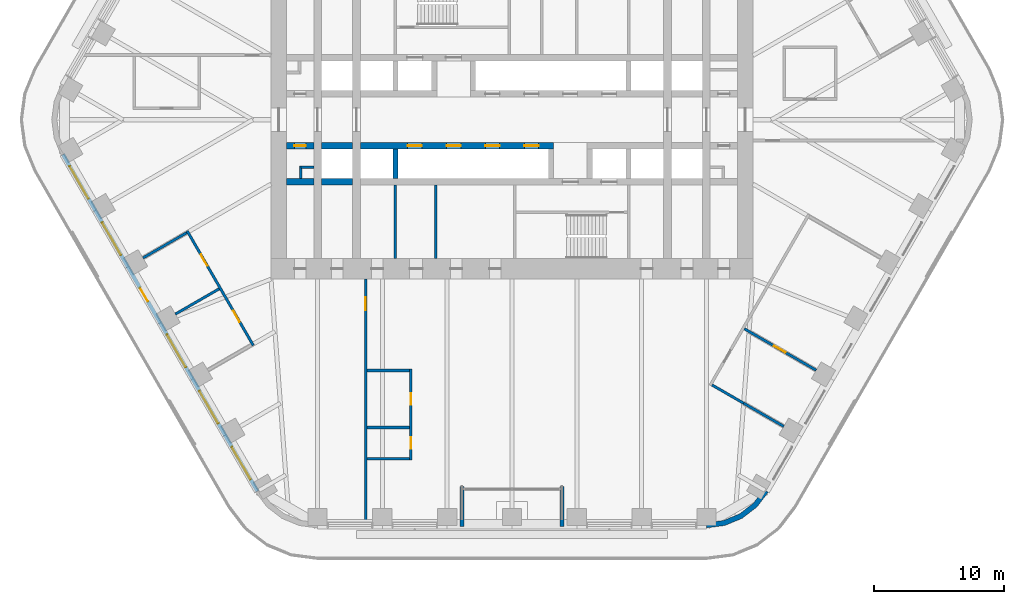
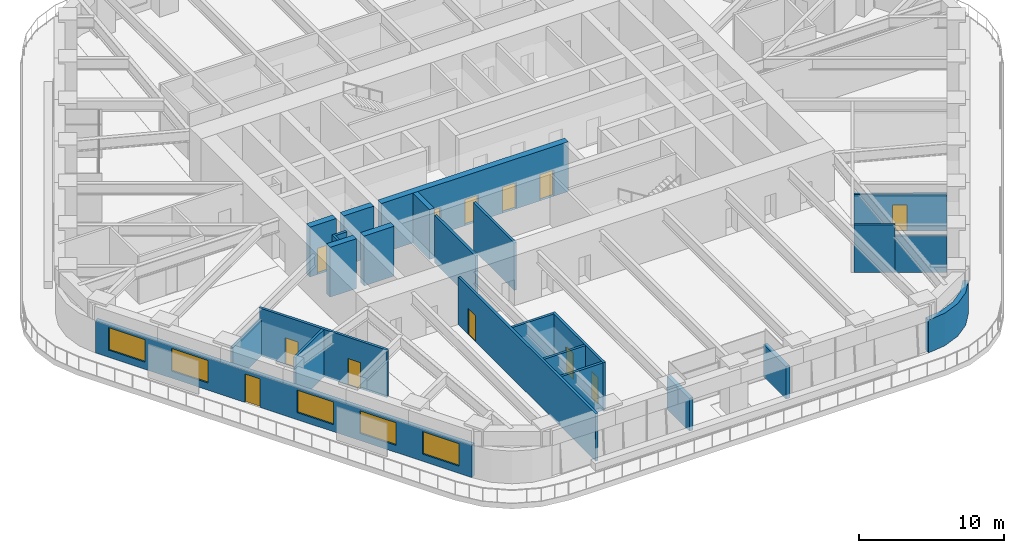
# One storey, part 17 of 24: 25 walls, 12 doors, 5 windows, 17 openings.
"""IFC4 building model written with IfcOpenShell, lengths in metres."""

from ifc_helpers import new_model, si_unit, direction, frame, frame_2d, origin, place, context, subcontext, project, spatial, polyline, rectangle, outline, extrude, material, layer, layer_set, type_object, element, fill, save


model = new_model("IFC4")

# Units and contexts
model_context = context("Model", 3, precision=1e-05, world=origin(), true_north=direction((0.0, 1.0)))
body_context = subcontext(model_context, "Body", "Model", "MODEL_VIEW")
ifc_project = project(units=[si_unit("LENGTHUNIT", "METRE"), si_unit("AREAUNIT", "SQUARE_METRE"), si_unit("VOLUMEUNIT", "CUBIC_METRE"), si_unit("PLANEANGLEUNIT", "RADIAN"), si_unit("MASSUNIT", "GRAM", prefix="KILO")], contexts=[model_context])

# Site, building, storey
site_placement = place(None, origin())
site = spatial("IfcSite", under=ifc_project, at=site_placement, CompositionType="ELEMENT")
building_placement = place(site_placement, origin())
building = spatial("IfcBuilding", under=site, at=building_placement, Name="Tarfa Lantern Tower", CompositionType="ELEMENT")
storey_placement = place(building_placement, frame((0.0, 0.0, 190.89990234375)))
storey = spatial("IfcBuildingStorey", under=building, at=storey_placement, Name="L43", CompositionType="ELEMENT", Elevation=190.89990234375)

# Wall, openings, door, windows
ifc_material_1 = material(Name="Limestone cladding on blockwork", Category="masonry")
ifc_layer_1 = layer(ifc_material_1, 0.300048828125)
ifc_layer_set_1 = layer_set([ifc_layer_1], Name="EW1 STONE-CLAD WALL 300")
wall_type_1 = type_object("IfcWallType", Name="EW1 STONE-CLAD WALL 300", PredefinedType="SOLIDWALL", material=ifc_layer_set_1)
wall_1_placement = place(storey_placement, frame((-34.655517578125, -2.675048828125, 0.0), z_axis=(0.0, 0.0, 1.0), x_axis=(0.500003084452, -0.866023622968, 0.0)))
wall_1 = element("IfcWall", 1, at=wall_1_placement, inside=storey, type_object=wall_type_1, Name="Stone wall SW", PredefinedType="SOLIDWALL", context=body_context, shape_type="SweptSolid", body=[
    extrude(rectangle(XDim=30.022216796875, YDim=0.300048828125, at=frame_2d((15.01123046875, 0.0))), origin(), (0.0, 0.0, 1.0), 2.75),
])
opening_1_placement = place(wall_1_placement, frame((1.0517578125, 0.0, 0.60009765625)))
opening_1 = element("IfcOpeningElement", 2, at=opening_1_placement, cuts=wall_1, Name="Opening W9", PredefinedType="OPENING", context=body_context, shape_type="SweptSolid", body=[
    extrude(rectangle(XDim=2.89990234375, YDim=1.89990234375, at=frame_2d((1.449951171875, 0.949951171875))), frame((0.0, 0.159912109375, 0.0), z_axis=(0.0, -1.0, 0.0), x_axis=(1.0, 0.0, 0.0)), (0.0, 0.0, 1.0), 0.320068359375),
])
opening_2_placement = place(wall_1_placement, frame((6.0556640625, 0.0, 0.60009765625)))
opening_2 = element("IfcOpeningElement", 3, at=opening_2_placement, cuts=wall_1, Name="Opening W9", PredefinedType="OPENING", context=body_context, shape_type="SweptSolid", body=[
    extrude(rectangle(XDim=2.89990234375, YDim=1.89990234375, at=frame_2d((1.449951171875, 0.949951171875))), frame((0.0, 0.159912109375, 0.0), z_axis=(0.0, -1.0, 0.0), x_axis=(1.0, 0.0, 0.0)), (0.0, 0.0, 1.0), 0.320068359375),
])
opening_3_placement = place(wall_1_placement, frame((11.9091796875, 0.0, 0.0)))
opening_3 = element("IfcOpeningElement", 4, at=opening_3_placement, cuts=wall_1, Name="Opening D52", PredefinedType="OPENING", context=body_context, shape_type="SweptSolid", body=[
    extrude(rectangle(XDim=1.199951171875, YDim=2.39990234375, at=frame_2d((0.60009765625, 1.199951171875))), frame((0.0, 0.159912109375, 0.0), z_axis=(0.0, -1.0, 0.0), x_axis=(1.0, 0.0, 0.0)), (0.0, 0.0, 1.0), 0.320068359375),
])
opening_4_placement = place(wall_1_placement, frame((16.06298828125, 0.0, 0.60009765625)))
opening_4 = element("IfcOpeningElement", 5, at=opening_4_placement, cuts=wall_1, Name="Opening W9", PredefinedType="OPENING", context=body_context, shape_type="SweptSolid", body=[
    extrude(rectangle(XDim=2.89990234375, YDim=1.89990234375, at=frame_2d((1.449951171875, 0.949951171875))), frame((0.0, 0.159912109375, 0.0), z_axis=(0.0, -1.0, 0.0), x_axis=(1.0, 0.0, 0.0)), (0.0, 0.0, 1.0), 0.320068359375),
])
opening_5_placement = place(wall_1_placement, frame((21.066650390625, 0.0, 0.60009765625)))
opening_5 = element("IfcOpeningElement", 6, at=opening_5_placement, cuts=wall_1, Name="Opening W9", PredefinedType="OPENING", context=body_context, shape_type="SweptSolid", body=[
    extrude(rectangle(XDim=2.89990234375, YDim=1.89990234375, at=frame_2d((1.449951171875, 0.949951171875))), frame((0.0, 0.159912109375, 0.0), z_axis=(0.0, -1.0, 0.0), x_axis=(1.0, 0.0, 0.0)), (0.0, 0.0, 1.0), 0.320068359375),
])
opening_6_placement = place(wall_1_placement, frame((26.0703125, 0.0, 0.60009765625)))
opening_6 = element("IfcOpeningElement", 7, at=opening_6_placement, cuts=wall_1, Name="Opening W9", PredefinedType="OPENING", context=body_context, shape_type="SweptSolid", body=[
    extrude(rectangle(XDim=2.89990234375, YDim=1.89990234375, at=frame_2d((1.449951171875, 0.949951171875))), frame((0.0, 0.159912109375, 0.0), z_axis=(0.0, -1.0, 0.0), x_axis=(1.0, 0.0, 0.0)), (0.0, 0.0, 1.0), 0.320068359375),
])
ifc_material_2 = material(Name="Aluminium framed glazed door", Category="aluminium")
door_type_1 = type_object("IfcDoorType", Name="BE3 BALCONY DOOR 1200x2400", OperationType="SINGLE_SWING_RIGHT", PredefinedType="DOOR", material=ifc_material_2)
door_1_placement = place(opening_3_placement, origin())
door_1 = element("IfcDoor", 8, at=door_1_placement, inside=storey, type_object=door_type_1, Name="Balcony door SW", OperationType="SINGLE_SWING_RIGHT", OverallHeight=2.39990234375, OverallWidth=1.199951171875, PredefinedType="DOOR", context=body_context, shape_type="SweptSolid", body=[
    extrude(rectangle(XDim=1.199951171875, YDim=2.39990234375, at=frame_2d((0.60009765625, 1.199951171875))), frame((0.0, 0.02490234375, 0.0), z_axis=(0.0, -1.0, 0.0), x_axis=(1.0, 0.0, 0.0)), (0.0, 0.0, 1.0), 0.050048828125),
])
fill(opening_3, door_1)
ifc_material_3 = material(Name="Aluminium frame, double glazed", Category="aluminium")
window_type = type_object("IfcWindowType", Name="W9 FULL-HEIGHT GLAZING 2900x1900", PartitioningType="SINGLE_PANEL", PredefinedType="WINDOW", material=ifc_material_3)
window_1_placement = place(opening_1_placement, origin())
window_1 = element("IfcWindow", 9, at=window_1_placement, inside=storey, type_object=window_type, Name="Window SW 1", OverallHeight=1.89990234375, OverallWidth=2.89990234375, PartitioningType="SINGLE_PANEL", PredefinedType="WINDOW", context=body_context, shape_type="SweptSolid", body=[
    extrude(rectangle(XDim=2.89990234375, YDim=1.89990234375, at=frame_2d((1.449951171875, 0.949951171875))), frame((0.0, 0.030029296875, 0.0), z_axis=(0.0, -1.0, 0.0), x_axis=(1.0, 0.0, 0.0)), (0.0, 0.0, 1.0), 0.06005859375),
])
fill(opening_1, window_1)
window_2_placement = place(opening_2_placement, origin())
window_2 = element("IfcWindow", 10, at=window_2_placement, inside=storey, type_object=window_type, Name="Window SW 2", OverallHeight=1.89990234375, OverallWidth=2.89990234375, PartitioningType="SINGLE_PANEL", PredefinedType="WINDOW", context=body_context, shape_type="SweptSolid", body=[
    extrude(rectangle(XDim=2.89990234375, YDim=1.89990234375, at=frame_2d((1.449951171875, 0.949951171875))), frame((0.0, 0.030029296875, 0.0), z_axis=(0.0, -1.0, 0.0), x_axis=(1.0, 0.0, 0.0)), (0.0, 0.0, 1.0), 0.06005859375),
])
fill(opening_2, window_2)
window_3_placement = place(opening_4_placement, origin())
window_3 = element("IfcWindow", 11, at=window_3_placement, inside=storey, type_object=window_type, Name="Window SW 4", OverallHeight=1.89990234375, OverallWidth=2.89990234375, PartitioningType="SINGLE_PANEL", PredefinedType="WINDOW", context=body_context, shape_type="SweptSolid", body=[
    extrude(rectangle(XDim=2.89990234375, YDim=1.89990234375, at=frame_2d((1.449951171875, 0.949951171875))), frame((0.0, 0.030029296875, 0.0), z_axis=(0.0, -1.0, 0.0), x_axis=(1.0, 0.0, 0.0)), (0.0, 0.0, 1.0), 0.06005859375),
])
fill(opening_4, window_3)
window_4_placement = place(opening_5_placement, origin())
window_4 = element("IfcWindow", 12, at=window_4_placement, inside=storey, type_object=window_type, Name="Window SW 5", OverallHeight=1.89990234375, OverallWidth=2.89990234375, PartitioningType="SINGLE_PANEL", PredefinedType="WINDOW", context=body_context, shape_type="SweptSolid", body=[
    extrude(rectangle(XDim=2.89990234375, YDim=1.89990234375, at=frame_2d((1.449951171875, 0.949951171875))), frame((0.0, 0.030029296875, 0.0), z_axis=(0.0, -1.0, 0.0), x_axis=(1.0, 0.0, 0.0)), (0.0, 0.0, 1.0), 0.06005859375),
])
fill(opening_5, window_4)
window_5_placement = place(opening_6_placement, origin())
window_5 = element("IfcWindow", 13, at=window_5_placement, inside=storey, type_object=window_type, Name="Window SW 6", OverallHeight=1.89990234375, OverallWidth=2.89990234375, PartitioningType="SINGLE_PANEL", PredefinedType="WINDOW", context=body_context, shape_type="SweptSolid", body=[
    extrude(rectangle(XDim=2.89990234375, YDim=1.89990234375, at=frame_2d((1.449951171875, 0.949951171875))), frame((0.0, 0.030029296875, 0.0), z_axis=(0.0, -1.0, 0.0), x_axis=(1.0, 0.0, 0.0)), (0.0, 0.0, 1.0), 0.06005859375),
])
fill(opening_6, window_5)

# Walls
for number, where, z_axis, x_axis, name in (
    (14, (-3.853759765625, -31.39990234375, 0.0), (0.0, 0.0, 1.0), (0.0, 1.0, 0.0), "Loggia return S 1"),
    (15, (3.853759765625, -31.39990234375, 0.0), (0.0, 0.0, 1.0), (0.0, 1.0, 0.0), "Loggia return S 2"),
):
    element("IfcWall", number, at=place(storey_placement, frame(where, z_axis=z_axis, x_axis=x_axis)), inside=storey, type_object=wall_type_1, Name=name, PredefinedType="SOLIDWALL", context=body_context, shape_type="SweptSolid", body=[
        extrude(rectangle(XDim=3.099853515625, YDim=0.300048828125, at=frame_2d((1.5498046875, 0.0))), origin(), (0.0, 0.0, 1.0), 2.75),
    ])
ifc_layer_2 = layer(ifc_material_1, 0.39990234375)
ifc_layer_set_2 = layer_set([ifc_layer_2], Name="EW2 CURVED STONE CORNER 400")
wall_type_2 = type_object("IfcWallType", Name="EW2 CURVED STONE CORNER 400", PredefinedType="SOLIDWALL", material=ifc_layer_set_2)
wall_2_placement = place(storey_placement, origin())
element("IfcWall", 16, at=wall_2_placement, inside=storey, type_object=wall_type_2, Name="Stone corner S-SE", PredefinedType="SOLIDWALL", context=body_context, shape_type="SweptSolid", body=[
    extrude(outline(polyline([(15.010986328125, -31.5), (16.4345703125, -31.3125), (17.760986328125, -30.76318359375), (18.900146484375, -29.88916015625), (19.774169921875, -28.75), (19.427734375, -28.550048828125), (18.617431640625, -29.606201171875), (17.56103515625, -30.416748046875), (16.3310546875, -30.92626953125), (15.010986328125, -31.10009765625), (15.010986328125, -31.5)])), origin(), (0.0, 0.0, 1.0), 2.75),
])
ifc_material_4 = material(Name="Concrete blockwork", Category="masonry")
ifc_layer_3 = layer(ifc_material_4, 0.199951171875)
ifc_layer_set_3 = layer_set([ifc_layer_3], Name="IW1 BLOCKWORK PARTITION 200 EI 120")
wall_type_3 = type_object("IfcWallType", Name="IW1 BLOCKWORK PARTITION 200 EI 120", PredefinedType="PARTITIONING", material=ifc_layer_set_3)
for number, where, z_axis, x_axis, name in (
    (17, (-9.0, -5.050048828125, 0.0), (0.0, 0.0, 1.0), (0.0, -1.0, 0.0), "Core partition"),
    (18, (-5.89990234375, -5.050048828125, 0.0), (0.0, 0.0, 1.0), (0.0, -1.0, 0.0), "Core partition"),
):
    element("IfcWall", number, at=place(storey_placement, frame(where, z_axis=z_axis, x_axis=x_axis)), inside=storey, type_object=wall_type_3, Name=name, PredefinedType="PARTITIONING", context=body_context, shape_type="SweptSolid", body=[
        extrude(rectangle(XDim=5.64990234375, YDim=0.199951171875, at=frame_2d((2.824951171875, 0.0))), origin(), (0.0, 0.0, 1.0), 4.0),
    ])
for number, where, z_axis, x_axis, name in (
    (19, (-15.300048828125, -3.64990234375, 0.0), (0.0, 0.0, 1.0), (-1.0, 0.0, 0.0), "Core partition"),
    (20, (-16.300048828125, -3.550048828125, 0.0), (0.0, 0.0, 1.0), (0.0, -1.0, 0.0), "Core partition"),
):
    element("IfcWall", number, at=place(storey_placement, frame(where, z_axis=z_axis, x_axis=x_axis)), inside=storey, type_object=wall_type_3, Name=name, PredefinedType="PARTITIONING", context=body_context, shape_type="SweptSolid", body=[
        extrude(rectangle(XDim=1.0, YDim=0.199951171875, at=frame_2d((0.5, 0.0))), origin(), (0.0, 0.0, 1.0), 4.0),
    ])
ifc_material_5 = material(Name="Gypsum board on steel studs", Category="steel")
ifc_layer_4 = layer(ifc_material_5, 0.2099609375)
ifc_layer_set_4 = layer_set([ifc_layer_4], Name="IW2 ACOUSTIC PARTITION 200")
wall_type_4 = type_object("IfcWallType", Name="IW2 ACOUSTIC PARTITION 200", PredefinedType="PARTITIONING", material=ifc_layer_set_4)
wall_3_placement = place(storey_placement, frame((15.4345703125, -20.466552734375, 0.0), z_axis=(0.0, 0.0, 1.0), x_axis=(0.866008320966, -0.500029587143, 0.0)))
element("IfcWall", 21, at=wall_3_placement, inside=storey, type_object=wall_type_4, Name="Partition", PredefinedType="PARTITIONING", context=body_context, shape_type="SweptSolid", body=[
    extrude(rectangle(XDim=2.821044921875, YDim=0.199951171875, at=frame_2d((1.41064453125, 0.0))), origin(), (0.0, 0.0, 1.0), 4.0),
])
wall_4_placement = place(storey_placement, frame((17.877685546875, -21.877197265625, 0.0), z_axis=(0.0, 0.0, 1.0), x_axis=(0.866009501729, -0.500027542156, 0.0)))
element("IfcWall", 22, at=wall_4_placement, inside=storey, type_object=wall_type_4, Name="Partition", PredefinedType="PARTITIONING", context=body_context, shape_type="SweptSolid", body=[
    extrude(rectangle(XDim=3.578857421875, YDim=0.199951171875, at=frame_2d((1.78955078125, 0.0))), origin(), (0.0, 0.0, 1.0), 3.081787109375),
])

# Wall, opening, door
wall_5_placement = place(storey_placement, frame((17.936279296875, -16.13330078125, 0.0), z_axis=(0.0, 0.0, 1.0), x_axis=(0.866035036182, -0.499983315828, 0.0)))
wall_5 = element("IfcWall", 23, at=wall_5_placement, inside=storey, type_object=wall_type_4, Name="Partition", PredefinedType="PARTITIONING", context=body_context, shape_type="SweptSolid", body=[
    extrude(rectangle(XDim=6.400146484375, YDim=0.199951171875, at=frame_2d((3.2001953125, 0.0))), origin(), (0.0, 0.0, 1.0), 3.081787109375),
])
opening_7_placement = place(wall_5_placement, frame((2.64990234375, 0.0, 0.0)))
opening_7 = element("IfcOpeningElement", 24, at=opening_7_placement, cuts=wall_5, Name="Opening D39", PredefinedType="OPENING", context=body_context, shape_type="SweptSolid", body=[
    extrude(rectangle(XDim=1.0, YDim=2.199951171875, at=frame_2d((0.5, 1.10009765625))), frame((0.0, 0.10986328125, 0.0), z_axis=(0.0, -1.0, 0.0), x_axis=(1.0, 0.0, 0.0)), (0.0, 0.0, 1.0), 0.219970703125),
])
ifc_material_6 = material(Name="Timber door", Category="wood")
door_type_2 = type_object("IfcDoorType", Name="DR1 ROOM DOOR 1000x2200", OperationType="SINGLE_SWING_LEFT", PredefinedType="DOOR", material=ifc_material_6)
door_2_placement = place(opening_7_placement, frame((1.0, 0.0, 0.0), z_axis=(0.0, 0.0, 1.0), x_axis=(-1.0, 0.0, 0.0)))
door_2 = element("IfcDoor", 25, at=door_2_placement, inside=storey, type_object=door_type_2, Name="Majlis door", OperationType="SINGLE_SWING_LEFT", OverallHeight=2.199951171875, OverallWidth=1.0, PredefinedType="DOOR", context=body_context, shape_type="SweptSolid", body=[
    extrude(rectangle(XDim=1.0, YDim=2.199951171875, at=frame_2d((0.5, 1.10009765625))), frame((0.0, 0.02490234375, 0.0), z_axis=(0.0, -1.0, 0.0), x_axis=(1.0, 0.0, 0.0)), (0.0, 0.0, 1.0), 0.050048828125),
])
fill(opening_7, door_2)

# Wall, openings, doors
wall_6_placement = place(storey_placement, frame((-25.068603515625, -8.580078125, 0.0), z_axis=(0.0, 0.0, 1.0), x_axis=(0.500005407604, -0.86602228168, 0.0)))
wall_6 = element("IfcWall", 26, at=wall_6_placement, inside=storey, type_object=wall_type_4, Name="Partition", PredefinedType="PARTITIONING", context=body_context, shape_type="SweptSolid", body=[
    extrude(rectangle(XDim=10.20751953125, YDim=0.199951171875, at=frame_2d((5.103759765625, 0.0))), origin(), (0.0, 0.0, 1.0), 4.0),
])
opening_8_placement = place(wall_6_placement, frame((2.101806640625, 0.0, 0.0)))
opening_8 = element("IfcOpeningElement", 27, at=opening_8_placement, cuts=wall_6, Name="Opening D40", PredefinedType="OPENING", context=body_context, shape_type="SweptSolid", body=[
    extrude(rectangle(XDim=1.0, YDim=2.199951171875, at=frame_2d((0.5, 1.10009765625))), frame((0.0, 0.10986328125, 0.0), z_axis=(0.0, -1.0, 0.0), x_axis=(1.0, 0.0, 0.0)), (0.0, 0.0, 1.0), 0.219970703125),
])
opening_9_placement = place(wall_6_placement, frame((7.10546875, 0.0, 0.0)))
opening_9 = element("IfcOpeningElement", 28, at=opening_9_placement, cuts=wall_6, Name="Opening D41", PredefinedType="OPENING", context=body_context, shape_type="SweptSolid", body=[
    extrude(rectangle(XDim=1.0, YDim=2.199951171875, at=frame_2d((0.5, 1.10009765625))), frame((0.0, 0.10986328125, 0.0), z_axis=(0.0, -1.0, 0.0), x_axis=(1.0, 0.0, 0.0)), (0.0, 0.0, 1.0), 0.219970703125),
])
door_3_placement = place(opening_8_placement, frame((1.0, 0.0, 0.0), z_axis=(0.0, 0.0, 1.0), x_axis=(-1.0, 0.0, 0.0)))
door_3 = element("IfcDoor", 29, at=door_3_placement, inside=storey, type_object=door_type_2, Name="Prayer room male door", OperationType="SINGLE_SWING_LEFT", OverallHeight=2.199951171875, OverallWidth=1.0, PredefinedType="DOOR", context=body_context, shape_type="SweptSolid", body=[
    extrude(rectangle(XDim=1.0, YDim=2.199951171875, at=frame_2d((0.5, 1.10009765625))), frame((0.0, 0.02490234375, 0.0), z_axis=(0.0, -1.0, 0.0), x_axis=(1.0, 0.0, 0.0)), (0.0, 0.0, 1.0), 0.050048828125),
])
fill(opening_8, door_3)
door_4_placement = place(opening_9_placement, frame((1.0, 0.0, 0.0), z_axis=(0.0, 0.0, 1.0), x_axis=(-1.0, 0.0, 0.0)))
door_4 = element("IfcDoor", 30, at=door_4_placement, inside=storey, type_object=door_type_2, Name="Ablution room door", OperationType="SINGLE_SWING_RIGHT", OverallHeight=2.199951171875, OverallWidth=1.0, PredefinedType="DOOR", context=body_context, shape_type="SweptSolid", body=[
    extrude(rectangle(XDim=1.0, YDim=2.199951171875, at=frame_2d((0.5, 1.10009765625))), frame((0.0, 0.02490234375, 0.0), z_axis=(0.0, -1.0, 0.0), x_axis=(1.0, 0.0, 0.0)), (0.0, 0.0, 1.0), 0.050048828125),
])
fill(opening_9, door_4)

# Walls
wall_7_placement = place(storey_placement, frame((-25.105224609375, -8.716552734375, 0.0), z_axis=(0.0, 0.0, 1.0), x_axis=(-0.866000020948, -0.500043961785, 0.0)))
element("IfcWall", 31, at=wall_7_placement, inside=storey, type_object=wall_type_4, Name="Partition", PredefinedType="PARTITIONING", context=body_context, shape_type="SweptSolid", body=[
    extrude(rectangle(XDim=3.900146484375, YDim=0.199951171875, at=frame_2d((1.9501953125, 0.0))), origin(), (0.0, 0.0, 1.0), 3.081787109375),
])
wall_8_placement = place(storey_placement, frame((-22.603271484375, -13.050048828125, 0.0), z_axis=(0.0, 0.0, 1.0), x_axis=(-0.866027128446, -0.499997012787, 0.0)))
element("IfcWall", 32, at=wall_8_placement, inside=storey, type_object=wall_type_4, Name="Partition", PredefinedType="PARTITIONING", context=body_context, shape_type="SweptSolid", body=[
    extrude(rectangle(XDim=3.89990234375, YDim=0.199951171875, at=frame_2d((1.949951171875, 0.0))), origin(), (0.0, 0.0, 1.0), 4.0),
])

# Wall, opening, door
wall_9_placement = place(storey_placement, frame((-11.300048828125, -12.300048828125, 0.0), z_axis=(0.0, 0.0, 1.0), x_axis=(0.0, -1.0, 0.0)))
wall_9 = element("IfcWall", 33, at=wall_9_placement, inside=storey, type_object=wall_type_4, Name="Partition", PredefinedType="PARTITIONING", context=body_context, shape_type="SweptSolid", body=[
    extrude(rectangle(XDim=19.0, YDim=0.199951171875, at=frame_2d((9.5, 0.0))), origin(), (0.0, 0.0, 1.0), 4.0),
])
opening_10_placement = place(wall_9_placement, frame((1.39990234375, 0.0, 0.0)))
opening_10 = element("IfcOpeningElement", 34, at=opening_10_placement, cuts=wall_9, Name="Opening D48", PredefinedType="OPENING", context=body_context, shape_type="SweptSolid", body=[
    extrude(rectangle(XDim=1.0, YDim=2.199951171875, at=frame_2d((0.5, 1.10009765625))), frame((0.0, 0.10986328125, 0.0), z_axis=(0.0, -1.0, 0.0), x_axis=(1.0, 0.0, 0.0)), (0.0, 0.0, 1.0), 0.219970703125),
])
door_5_placement = place(opening_10_placement, frame((1.0, 0.0, 0.0), z_axis=(0.0, 0.0, 1.0), x_axis=(-1.0, 0.0, 0.0)))
door_5 = element("IfcDoor", 35, at=door_5_placement, inside=storey, type_object=door_type_2, Name="Zone door", OperationType="SINGLE_SWING_LEFT", OverallHeight=2.199951171875, OverallWidth=1.0, PredefinedType="DOOR", context=body_context, shape_type="SweptSolid", body=[
    extrude(rectangle(XDim=1.0, YDim=2.199951171875, at=frame_2d((0.5, 1.10009765625))), frame((0.0, 0.02490234375, 0.0), z_axis=(0.0, -1.0, 0.0), x_axis=(1.0, 0.0, 0.0)), (0.0, 0.0, 1.0), 0.050048828125),
])
fill(opening_10, door_5)

# Wall, openings, doors
wall_10_placement = place(storey_placement, frame((-7.800048828125, -19.25, 0.0), z_axis=(0.0, 0.0, 1.0), x_axis=(0.0, -1.0, 0.0)))
wall_10 = element("IfcWall", 36, at=wall_10_placement, inside=storey, type_object=wall_type_4, Name="Partition", PredefinedType="PARTITIONING", context=body_context, shape_type="SweptSolid", body=[
    extrude(rectangle(XDim=7.0, YDim=0.199951171875, at=frame_2d((3.5, 0.0))), origin(), (0.0, 0.0, 1.0), 4.0),
])
opening_11_placement = place(wall_10_placement, frame((1.85009765625, 0.0, 0.0)))
opening_11 = element("IfcOpeningElement", 37, at=opening_11_placement, cuts=wall_10, Name="Opening D44", PredefinedType="OPENING", context=body_context, shape_type="SweptSolid", body=[
    extrude(rectangle(XDim=0.89990234375, YDim=2.199951171875, at=frame_2d((0.449951171875, 1.10009765625))), frame((0.0, 0.10986328125, 0.0), z_axis=(0.0, -1.0, 0.0), x_axis=(1.0, 0.0, 0.0)), (0.0, 0.0, 1.0), 0.219970703125),
])
opening_12_placement = place(wall_10_placement, frame((5.25, 0.0, 0.0)))
opening_12 = element("IfcOpeningElement", 38, at=opening_12_placement, cuts=wall_10, Name="Opening D45", PredefinedType="OPENING", context=body_context, shape_type="SweptSolid", body=[
    extrude(rectangle(XDim=0.89990234375, YDim=2.199951171875, at=frame_2d((0.449951171875, 1.10009765625))), frame((0.0, 0.10986328125, 0.0), z_axis=(0.0, -1.0, 0.0), x_axis=(1.0, 0.0, 0.0)), (0.0, 0.0, 1.0), 0.219970703125),
])
door_type_3 = type_object("IfcDoorType", Name="DR3 ROOM DOOR 900x2200", OperationType="SINGLE_SWING_LEFT", PredefinedType="DOOR", material=ifc_material_6)
door_6_placement = place(opening_11_placement, frame((0.89990234375, 0.0, 0.0), z_axis=(0.0, 0.0, 1.0), x_axis=(-1.0, 0.0, 0.0)))
door_6 = element("IfcDoor", 39, at=door_6_placement, inside=storey, type_object=door_type_3, Name="Project room door", OperationType="SINGLE_SWING_LEFT", OverallHeight=2.199951171875, OverallWidth=0.89990234375, PredefinedType="DOOR", context=body_context, shape_type="SweptSolid", body=[
    extrude(rectangle(XDim=0.89990234375, YDim=2.199951171875, at=frame_2d((0.449951171875, 1.10009765625))), frame((0.0, 0.02490234375, 0.0), z_axis=(0.0, -1.0, 0.0), x_axis=(1.0, 0.0, 0.0)), (0.0, 0.0, 1.0), 0.050048828125),
])
fill(opening_11, door_6)
door_7_placement = place(opening_12_placement, frame((0.89990234375, 0.0, 0.0), z_axis=(0.0, 0.0, 1.0), x_axis=(-1.0, 0.0, 0.0)))
door_7 = element("IfcDoor", 40, at=door_7_placement, inside=storey, type_object=door_type_3, Name="Print and copy room door", OperationType="SINGLE_SWING_RIGHT", OverallHeight=2.199951171875, OverallWidth=0.89990234375, PredefinedType="DOOR", context=body_context, shape_type="SweptSolid", body=[
    extrude(rectangle(XDim=0.89990234375, YDim=2.199951171875, at=frame_2d((0.449951171875, 1.10009765625))), frame((0.0, 0.02490234375, 0.0), z_axis=(0.0, -1.0, 0.0), x_axis=(1.0, 0.0, 0.0)), (0.0, 0.0, 1.0), 0.050048828125),
])
fill(opening_12, door_7)

# Walls
for number, where, z_axis, x_axis, name in (
    (41, (-11.199951171875, -19.35009765625, 0.0), (0.0, 0.0, 1.0), (1.0, 0.0, 0.0), "Partition"),
    (42, (-11.199951171875, -23.75, 0.0), (0.0, 0.0, 1.0), (1.0, 0.0, 0.0), "Partition"),
    (43, (-11.199951171875, -26.14990234375, 0.0), (0.0, 0.0, 1.0), (1.0, 0.0, 0.0), "Partition"),
):
    element("IfcWall", number, at=place(storey_placement, frame(where, z_axis=z_axis, x_axis=x_axis)), inside=storey, type_object=wall_type_4, Name=name, PredefinedType="PARTITIONING", context=body_context, shape_type="SweptSolid", body=[
        extrude(rectangle(XDim=3.300048828125, YDim=0.199951171875, at=frame_2d((1.64990234375, 0.0))), origin(), (0.0, 0.0, 1.0), 4.0),
    ])

# Wall, openings, doors
ifc_material_7 = material(Name="Concrete C80/95", Category="concrete")
ifc_layer_5 = layer(ifc_material_7, 0.5)
ifc_layer_set_5 = layer_set([ifc_layer_5], Name="SW5 CORE WALL 500")
wall_type_5 = type_object("IfcWallType", Name="SW5 CORE WALL 500", PredefinedType="SHEAR", material=ifc_layer_set_5)
wall_11_placement = place(storey_placement, frame((3.199951171875, -2.0, 0.0), z_axis=(0.0, 0.0, 1.0), x_axis=(-1.0, 0.0, 0.0)))
wall_11 = element("IfcWall", 44, at=wall_11_placement, inside=storey, type_object=wall_type_5, Name="Core wall lobby east S", PredefinedType="SHEAR", context=body_context, shape_type="SweptSolid", body=[
    extrude(rectangle(XDim=14.89990234375, YDim=0.5, at=frame_2d((7.449951171875, 0.0))), origin(), (0.0, 0.0, 1.0), 4.2001953125),
])
opening_13_placement = place(wall_11_placement, frame((1.14990234375, 0.0, 0.0)))
opening_13 = element("IfcOpeningElement", 45, at=opening_13_placement, cuts=wall_11, Name="Opening LD07", PredefinedType="OPENING", context=body_context, shape_type="SweptSolid", body=[
    extrude(rectangle(XDim=1.10009765625, YDim=2.199951171875, at=frame_2d((0.550048828125, 1.10009765625))), frame((0.0, 0.260009765625, 0.0), z_axis=(0.0, -1.0, 0.0), x_axis=(1.0, 0.0, 0.0)), (0.0, 0.0, 1.0), 0.52001953125),
])
opening_14_placement = place(wall_11_placement, frame((4.14990234375, 0.0, 0.0)))
opening_14 = element("IfcOpeningElement", 46, at=opening_14_placement, cuts=wall_11, Name="Opening LD08", PredefinedType="OPENING", context=body_context, shape_type="SweptSolid", body=[
    extrude(rectangle(XDim=1.10009765625, YDim=2.199951171875, at=frame_2d((0.550048828125, 1.10009765625))), frame((0.0, 0.260009765625, 0.0), z_axis=(0.0, -1.0, 0.0), x_axis=(1.0, 0.0, 0.0)), (0.0, 0.0, 1.0), 0.52001953125),
])
opening_15_placement = place(wall_11_placement, frame((7.14990234375, 0.0, 0.0)))
opening_15 = element("IfcOpeningElement", 47, at=opening_15_placement, cuts=wall_11, Name="Opening LD09", PredefinedType="OPENING", context=body_context, shape_type="SweptSolid", body=[
    extrude(rectangle(XDim=1.10009765625, YDim=2.199951171875, at=frame_2d((0.550048828125, 1.10009765625))), frame((0.0, 0.260009765625, 0.0), z_axis=(0.0, -1.0, 0.0), x_axis=(1.0, 0.0, 0.0)), (0.0, 0.0, 1.0), 0.52001953125),
])
opening_16_placement = place(wall_11_placement, frame((10.14990234375, 0.0, 0.0)))
opening_16 = element("IfcOpeningElement", 48, at=opening_16_placement, cuts=wall_11, Name="Opening LD10", PredefinedType="OPENING", context=body_context, shape_type="SweptSolid", body=[
    extrude(rectangle(XDim=1.10009765625, YDim=2.199951171875, at=frame_2d((0.550048828125, 1.10009765625))), frame((0.0, 0.260009765625, 0.0), z_axis=(0.0, -1.0, 0.0), x_axis=(1.0, 0.0, 0.0)), (0.0, 0.0, 1.0), 0.52001953125),
])
ifc_material_8 = material(Name="Stainless steel lift door", Category="steel")
door_type_4 = type_object("IfcDoorType", Name="LD2 LIFT LANDING DOOR 1100x2200", OperationType="SLIDING_TO_LEFT", PredefinedType="DOOR", material=ifc_material_8)
door_8_placement = place(opening_13_placement, frame((1.10009765625, 0.0, 0.0), z_axis=(0.0, 0.0, 1.0), x_axis=(-1.0, 0.0, 0.0)))
door_8 = element("IfcDoor", 49, at=door_8_placement, inside=storey, type_object=door_type_4, Name="Landing door PB5", OperationType="SLIDING_TO_LEFT", OverallHeight=2.199951171875, OverallWidth=1.10009765625, PredefinedType="DOOR", context=body_context, shape_type="SweptSolid", body=[
    extrude(rectangle(XDim=1.10009765625, YDim=2.199951171875, at=frame_2d((0.550048828125, 1.10009765625))), frame((0.0, 0.02490234375, 0.0), z_axis=(0.0, -1.0, 0.0), x_axis=(1.0, 0.0, 0.0)), (0.0, 0.0, 1.0), 0.050048828125),
])
fill(opening_13, door_8)
door_9_placement = place(opening_14_placement, frame((1.10009765625, 0.0, 0.0), z_axis=(0.0, 0.0, 1.0), x_axis=(-1.0, 0.0, 0.0)))
door_9 = element("IfcDoor", 50, at=door_9_placement, inside=storey, type_object=door_type_4, Name="Landing door PB6", OperationType="SLIDING_TO_LEFT", OverallHeight=2.199951171875, OverallWidth=1.10009765625, PredefinedType="DOOR", context=body_context, shape_type="SweptSolid", body=[
    extrude(rectangle(XDim=1.10009765625, YDim=2.199951171875, at=frame_2d((0.550048828125, 1.10009765625))), frame((0.0, 0.02490234375, 0.0), z_axis=(0.0, -1.0, 0.0), x_axis=(1.0, 0.0, 0.0)), (0.0, 0.0, 1.0), 0.050048828125),
])
fill(opening_14, door_9)
door_10_placement = place(opening_15_placement, frame((1.10009765625, 0.0, 0.0), z_axis=(0.0, 0.0, 1.0), x_axis=(-1.0, 0.0, 0.0)))
door_10 = element("IfcDoor", 51, at=door_10_placement, inside=storey, type_object=door_type_4, Name="Landing door PB7", OperationType="SLIDING_TO_LEFT", OverallHeight=2.199951171875, OverallWidth=1.10009765625, PredefinedType="DOOR", context=body_context, shape_type="SweptSolid", body=[
    extrude(rectangle(XDim=1.10009765625, YDim=2.199951171875, at=frame_2d((0.550048828125, 1.10009765625))), frame((0.0, 0.02490234375, 0.0), z_axis=(0.0, -1.0, 0.0), x_axis=(1.0, 0.0, 0.0)), (0.0, 0.0, 1.0), 0.050048828125),
])
fill(opening_15, door_10)
door_11_placement = place(opening_16_placement, frame((1.10009765625, 0.0, 0.0), z_axis=(0.0, 0.0, 1.0), x_axis=(-1.0, 0.0, 0.0)))
door_11 = element("IfcDoor", 52, at=door_11_placement, inside=storey, type_object=door_type_4, Name="Landing door PB8", OperationType="SLIDING_TO_LEFT", OverallHeight=2.199951171875, OverallWidth=1.10009765625, PredefinedType="DOOR", context=body_context, shape_type="SweptSolid", body=[
    extrude(rectangle(XDim=1.10009765625, YDim=2.199951171875, at=frame_2d((0.550048828125, 1.10009765625))), frame((0.0, 0.02490234375, 0.0), z_axis=(0.0, -1.0, 0.0), x_axis=(1.0, 0.0, 0.0)), (0.0, 0.0, 1.0), 0.050048828125),
])
fill(opening_16, door_11)

# Wall
wall_12_placement = place(storey_placement, frame((-12.300048828125, -2.0, 0.0), z_axis=(0.0, 0.0, 1.0), x_axis=(-1.0, 0.0, 0.0)))
element("IfcWall", 53, at=wall_12_placement, inside=storey, type_object=wall_type_5, Name="Core wall lobby east S", PredefinedType="SHEAR", context=body_context, shape_type="SweptSolid", body=[
    extrude(rectangle(XDim=2.39990234375, YDim=0.5, at=frame_2d((1.199951171875, 0.0))), origin(), (0.0, 0.0, 1.0), 4.2001953125),
])

# Wall, opening, door
wall_13_placement = place(storey_placement, frame((-15.300048828125, -2.0, 0.0), z_axis=(0.0, 0.0, 1.0), x_axis=(-1.0, 0.0, 0.0)))
wall_13 = element("IfcWall", 54, at=wall_13_placement, inside=storey, type_object=wall_type_5, Name="Core wall lobby east S", PredefinedType="SHEAR", context=body_context, shape_type="SweptSolid", body=[
    extrude(rectangle(XDim=2.099853515625, YDim=0.5, at=frame_2d((1.0498046875, 0.0))), origin(), (0.0, 0.0, 1.0), 4.2001953125),
])
opening_17_placement = place(wall_13_placement, frame((0.60009765625, 0.0, 0.0)))
opening_17 = element("IfcOpeningElement", 55, at=opening_17_placement, cuts=wall_13, Name="Opening D18", PredefinedType="OPENING", context=body_context, shape_type="SweptSolid", body=[
    extrude(rectangle(XDim=0.89990234375, YDim=2.199951171875, at=frame_2d((0.449951171875, 1.10009765625))), frame((0.0, 0.260009765625, 0.0), z_axis=(0.0, -1.0, 0.0), x_axis=(1.0, 0.0, 0.0)), (0.0, 0.0, 1.0), 0.52001953125),
])
ifc_material_9 = material(Name="Steel fire door", Category="steel")
door_type_5 = type_object("IfcDoorType", Name="DF6 SERVICE ROOM DOOR 900x2200", OperationType="SINGLE_SWING_LEFT", PredefinedType="DOOR", material=ifc_material_9)
door_12_placement = place(opening_17_placement, origin())
door_12 = element("IfcDoor", 56, at=door_12_placement, inside=storey, type_object=door_type_5, Name="Service room door", OperationType="SINGLE_SWING_LEFT", OverallHeight=2.199951171875, OverallWidth=0.89990234375, PredefinedType="DOOR", context=body_context, shape_type="SweptSolid", body=[
    extrude(rectangle(XDim=0.89990234375, YDim=2.199951171875, at=frame_2d((0.449951171875, 1.10009765625))), frame((0.0, 0.02490234375, 0.0), z_axis=(0.0, -1.0, 0.0), x_axis=(1.0, 0.0, 0.0)), (0.0, 0.0, 1.0), 0.050048828125),
])
fill(opening_17, door_12)

# Walls
wall_14_placement = place(storey_placement, frame((-12.300048828125, -4.800048828125, 0.0), z_axis=(0.0, 0.0, 1.0), x_axis=(-1.0, 0.0, 0.0)))
element("IfcWall", 57, at=wall_14_placement, inside=storey, type_object=wall_type_5, Name="Core wall rear S", PredefinedType="SHEAR", context=body_context, shape_type="SweptSolid", body=[
    extrude(rectangle(XDim=2.39990234375, YDim=0.5, at=frame_2d((1.199951171875, 0.0))), origin(), (0.0, 0.0, 1.0), 4.2001953125),
])
wall_15_placement = place(storey_placement, frame((-15.300048828125, -4.800048828125, 0.0), z_axis=(0.0, 0.0, 1.0), x_axis=(-1.0, 0.0, 0.0)))
element("IfcWall", 58, at=wall_15_placement, inside=storey, type_object=wall_type_5, Name="Core wall rear S", PredefinedType="SHEAR", context=body_context, shape_type="SweptSolid", body=[
    extrude(rectangle(XDim=2.099853515625, YDim=0.5, at=frame_2d((1.0498046875, 0.0))), origin(), (0.0, 0.0, 1.0), 4.2001953125),
])
ifc_layer_6 = layer(ifc_material_7, 0.39990234375)
ifc_layer_set_6 = layer_set([ifc_layer_6], Name="SW6 CORE WALL 400")
wall_type_6 = type_object("IfcWallType", Name="SW6 CORE WALL 400", PredefinedType="SHEAR", material=ifc_layer_set_6)
wall_16_placement = place(storey_placement, frame((-9.0, -2.25, 0.0), z_axis=(0.0, 0.0, 1.0), x_axis=(0.0, -1.0, 0.0)))
element("IfcWall", 59, at=wall_16_placement, inside=storey, type_object=wall_type_6, Name="Core wall divider S", PredefinedType="SHEAR", context=body_context, shape_type="SweptSolid", body=[
    extrude(rectangle(XDim=2.300048828125, YDim=0.39990234375, at=frame_2d((1.14990234375, 0.0))), origin(), (0.0, 0.0, 1.0), 4.2001953125),
])

save(model, "model.ifc")
